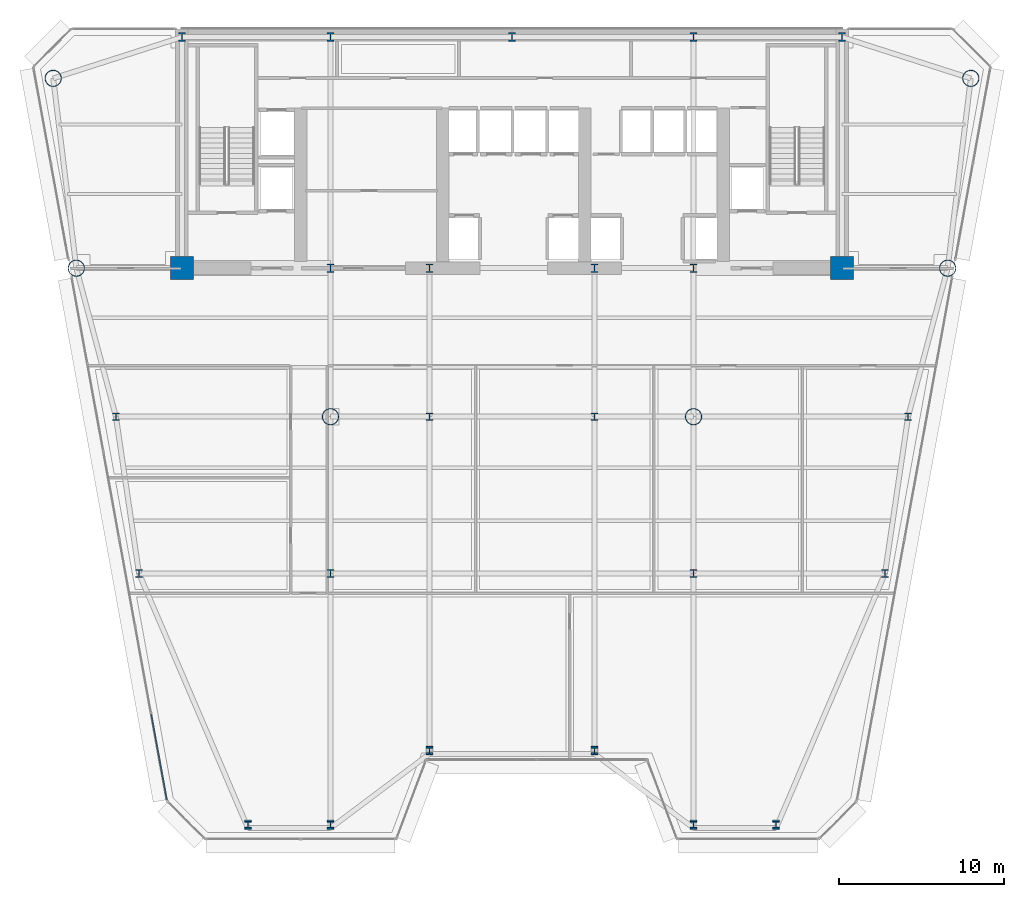
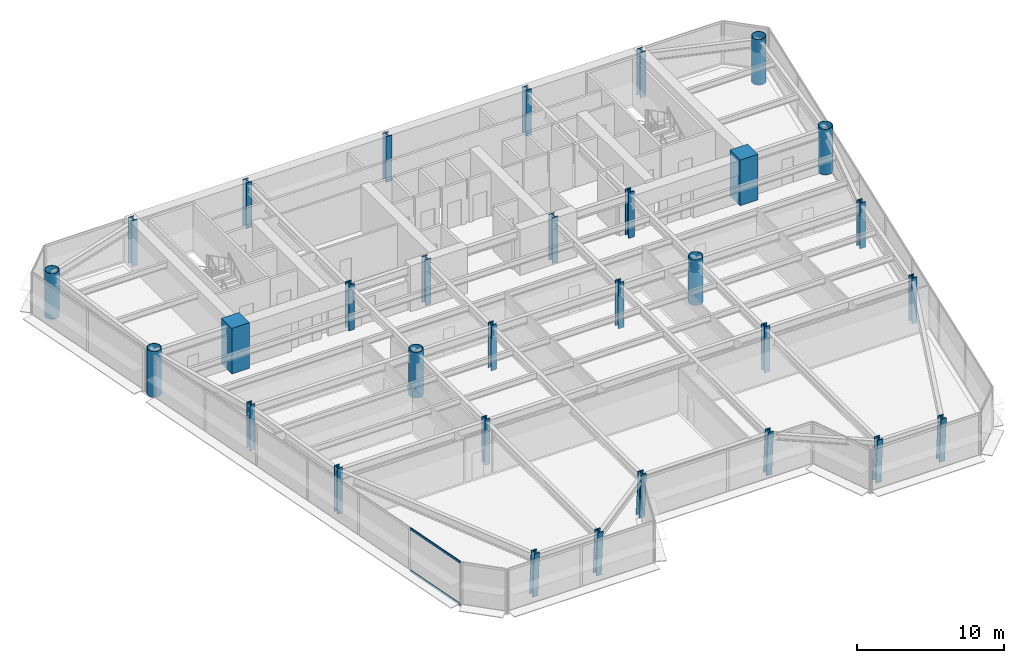
# One storey, part 1 of 14: 31 columns, 2 members, 1 element without a shape of its own.
"""IFC4 building model written with IfcOpenShell, lengths in metres."""

from ifc_helpers import new_model, si_unit, direction, frame, origin, origin_2d, place, context, subcontext, project, spatial, rectangle, hollow_circle, i_section, extrude, source, transform, mapped, material, layer, layer_set, material_profile, profile_set, type_object, element, aggregate, save


model = new_model("IFC4")

# Units and contexts
model_context = context("Model", 3, precision=1e-05, world=origin(), true_north=direction((0.0, 1.0)))
body_context = subcontext(model_context, "Body", "Model", "MODEL_VIEW")
ifc_project = project(units=[si_unit("LENGTHUNIT", "METRE"), si_unit("AREAUNIT", "SQUARE_METRE"), si_unit("VOLUMEUNIT", "CUBIC_METRE"), si_unit("PLANEANGLEUNIT", "RADIAN"), si_unit("MASSUNIT", "GRAM", prefix="KILO")], contexts=[model_context])

# Site, building, storey
site_placement = place(None, origin())
site = spatial("IfcSite", under=ifc_project, at=site_placement, CompositionType="ELEMENT")
building_placement = place(site_placement, origin())
building = spatial("IfcBuilding", under=site, at=building_placement, Name="Vaeldorn Concourse Tower", CompositionType="ELEMENT")
storey_placement = place(building_placement, frame((0.0, 0.0, 114.800048828125)))
storey = spatial("IfcBuildingStorey", under=building, at=storey_placement, Name="L29", CompositionType="ELEMENT", Elevation=114.800048828125)

# Columns
ifc_material_1 = material(Name="Concrete C60/75", Category="concrete")
ifc_material_profile_1 = material_profile(ifc_material_1, rectangle(XDim=1.39990234375, YDim=1.39990234375, at=origin_2d()), Name="RC 1400x1400")
ifc_profile_set_1 = profile_set([ifc_material_profile_1], Name="Concrete C60/75")
column_type_1 = type_object("IfcColumnType", Name="COL-RC1400", PredefinedType="COLUMN", material=ifc_profile_set_1)
shared_shape_1 = source(origin(), body_context, "Body", "SweptSolid", [
    extrude(rectangle(XDim=1.39990234375, YDim=1.39990234375, at=origin_2d()), origin(), (0.0, 0.0, 1.0), 3.800048828125),
])
for number, where, z_axis, x_axis, name in (
    (1, (14.0, 36.5, 0.0), (0.0, 0.0, 1.0), (1.0, 0.0, 0.0), "Column C-FC1 L29"),
    (2, (54.0, 36.5, 0.0), (0.0, 0.0, 1.0), (1.0, 0.0, 0.0), "Column C-FC6 L29"),
):
    element("IfcColumn", number, at=place(storey_placement, frame(where, z_axis=z_axis, x_axis=x_axis)), inside=storey, type_object=column_type_1, Name=name, PredefinedType="COLUMN", context=body_context, shape_type="MappedRepresentation", body=[
        mapped(shared_shape_1, transform((0.0, 0.0, 0.0), scale=1.0)),
    ])
ifc_material_2 = material(Name="Steel S460", Category="steel")
ifc_material_profile_2 = material_profile(ifc_material_2, i_section(OverallWidth=0.44189453125, OverallDepth=0.531005859375, WebThickness=0.06494140625, FlangeThickness=0.075927734375, FilletRadius=0.014892578125, at=origin_2d()), Name="HD 400x900")
ifc_profile_set_2 = profile_set([ifc_material_profile_2], Name="Steel S460")
column_type_2 = type_object("IfcColumnType", Name="COL-HD900", PredefinedType="COLUMN", material=ifc_profile_set_2)
shared_shape_2 = source(origin(), body_context, "Body", "SweptSolid", [
    extrude(i_section(OverallWidth=0.44189453125, OverallDepth=0.531005859375, WebThickness=0.06494140625, FlangeThickness=0.075927734375, FilletRadius=0.014892578125, at=origin_2d()), origin(), (0.0, 0.0, 1.0), 3.800048828125),
])
for number, where, z_axis, x_axis, name in (
    (3, (23.0, 36.5, 0.0), (0.0, 0.0, 1.0), (1.0, 0.0, 0.0), "Column C-FC2 L29"),
    (4, (29.0, 36.5, 0.0), (0.0, 0.0, 1.0), (1.0, 0.0, 0.0), "Column C-FC3 L29"),
    (5, (39.0, 36.5, 0.0), (0.0, 0.0, 1.0), (1.0, 0.0, 0.0), "Column C-FC4 L29"),
    (6, (45.0, 36.5, 0.0), (0.0, 0.0, 1.0), (1.0, 0.0, 0.0), "Column C-FC5 L29"),
    (7, (14.0, 50.5, 0.0), (0.0, 0.0, 1.0), (1.0, 0.0, 0.0), "Column C-HC1 L29"),
    (8, (23.0, 50.5, 0.0), (0.0, 0.0, 1.0), (1.0, 0.0, 0.0), "Column C-HC2 L29"),
    (9, (34.0, 50.5, 0.0), (0.0, 0.0, 1.0), (1.0, 0.0, 0.0), "Column C-HC3 L29"),
    (10, (45.0, 50.5, 0.0), (0.0, 0.0, 1.0), (1.0, 0.0, 0.0), "Column C-HC4 L29"),
    (11, (54.0, 50.5, 0.0), (0.0, 0.0, 1.0), (1.0, 0.0, 0.0), "Column C-HC5 L29"),
):
    element("IfcColumn", number, at=place(storey_placement, frame(where, z_axis=z_axis, x_axis=x_axis)), inside=storey, type_object=column_type_2, Name=name, PredefinedType="COLUMN", context=body_context, shape_type="MappedRepresentation", body=[
        mapped(shared_shape_2, transform((0.0, 0.0, 0.0), scale=1.0)),
    ])
ifc_material_profile_3 = material_profile(ifc_material_2, hollow_circle(Radius=0.508056640625, WallThickness=0.044921875, at=origin_2d()), Name="CHS 1016x45")
ifc_profile_set_3 = profile_set([ifc_material_profile_3], Name="Steel S460")
column_type_3 = type_object("IfcColumnType", Name="COL-CHS1016", PredefinedType="COLUMN", material=ifc_profile_set_3)
shared_shape_3 = source(origin(), body_context, "Body", "SweptSolid", [
    extrude(hollow_circle(Radius=0.508056640625, WallThickness=0.044921875, at=origin_2d()), origin(), (0.0, 0.0, 1.0), 3.800048828125),
])
for number, where, z_axis, x_axis, name in (
    (12, (6.199951171875, 48.0, 0.0), (0.0, 0.0, 1.0), (1.0, 0.0, 0.0), "Column C-NW1 L29"),
    (13, (7.60009765625, 36.5, 0.0), (0.0, 0.0, 1.0), (1.0, 0.0, 0.0), "Column C-NW2 L29"),
    (14, (61.800048828125, 48.0, 0.0), (0.0, 0.0, 1.0), (1.0, 0.0, 0.0), "Column C-NE1 L29"),
    (15, (60.39990234375, 36.5, 0.0), (0.0, 0.0, 1.0), (1.0, 0.0, 0.0), "Column C-NE2 L29"),
    (16, (23.0, 27.5, 0.0), (0.0, 0.0, 1.0), (1.0, 0.0, 0.0), "Column C-TW1 L29"),
    (17, (45.0, 27.5, 0.0), (0.0, 0.0, 1.0), (1.0, 0.0, 0.0), "Column C-TW4 L29"),
):
    element("IfcColumn", number, at=place(storey_placement, frame(where, z_axis=z_axis, x_axis=x_axis)), inside=storey, type_object=column_type_3, Name=name, PredefinedType="COLUMN", context=body_context, shape_type="MappedRepresentation", body=[
        mapped(shared_shape_3, transform((0.0, 0.0, 0.0), scale=1.0)),
    ])
ifc_material_profile_4 = material_profile(ifc_material_2, i_section(OverallWidth=0.424072265625, OverallDepth=0.47412109375, WebThickness=0.047119140625, FlangeThickness=0.06494140625, FilletRadius=0.014892578125, at=origin_2d()), Name="HD 400x634")
ifc_profile_set_4 = profile_set([ifc_material_profile_4], Name="Steel S460")
column_type_4 = type_object("IfcColumnType", Name="COL-HD634F", PredefinedType="COLUMN", material=ifc_profile_set_4)
shared_shape_4 = source(origin(), body_context, "Body", "SweptSolid", [
    extrude(i_section(OverallWidth=0.424072265625, OverallDepth=0.47412109375, WebThickness=0.047119140625, FlangeThickness=0.06494140625, FilletRadius=0.014892578125, at=origin_2d()), origin(), (0.0, 0.0, 1.0), 3.800048828125),
])
for number, where, z_axis, x_axis, name in (
    (18, (10.0, 27.5, 0.0), (0.0, 0.0, 1.0), (1.0, 0.0, 0.0), "Column C-FLW1 L29"),
    (19, (11.39990234375, 18.0, 0.0), (0.0, 0.0, 1.0), (1.0, 0.0, 0.0), "Column C-FLW2 L29"),
    (20, (58.0, 27.5, 0.0), (0.0, 0.0, 1.0), (1.0, 0.0, 0.0), "Column C-FLE1 L29"),
    (21, (56.60009765625, 18.0, 0.0), (0.0, 0.0, 1.0), (1.0, 0.0, 0.0), "Column C-FLE2 L29"),
):
    element("IfcColumn", number, at=place(storey_placement, frame(where, z_axis=z_axis, x_axis=x_axis)), inside=storey, type_object=column_type_4, Name=name, PredefinedType="COLUMN", context=body_context, shape_type="MappedRepresentation", body=[
        mapped(shared_shape_4, transform((0.0, 0.0, 0.0), scale=1.0)),
    ])
ifc_material_profile_5 = material_profile(ifc_material_2, i_section(OverallWidth=0.424072265625, OverallDepth=0.47412109375, WebThickness=0.047119140625, FlangeThickness=0.06494140625, FilletRadius=0.014892578125, at=origin_2d()), Name="HD 400x634")
ifc_profile_set_5 = profile_set([ifc_material_profile_5], Name="Steel S460")
column_type_5 = type_object("IfcColumnType", Name="COL-HD634T", PredefinedType="COLUMN", material=ifc_profile_set_5)
shared_shape_5 = source(origin(), body_context, "Body", "SweptSolid", [
    extrude(i_section(OverallWidth=0.424072265625, OverallDepth=0.47412109375, WebThickness=0.047119140625, FlangeThickness=0.06494140625, FilletRadius=0.014892578125, at=origin_2d()), origin(), (0.0, 0.0, 1.0), 3.800048828125),
])
for number, where, z_axis, x_axis, name in (
    (22, (29.0, 27.5, 0.0), (0.0, 0.0, 1.0), (1.0, 0.0, 0.0), "Column C-TW2 L29"),
    (23, (39.0, 27.5, 0.0), (0.0, 0.0, 1.0), (1.0, 0.0, 0.0), "Column C-TW3 L29"),
    (24, (23.0, 18.0, 0.0), (0.0, 0.0, 1.0), (1.0, 0.0, 0.0), "Column C-TW5 L29"),
    (25, (45.0, 18.0, 0.0), (0.0, 0.0, 1.0), (1.0, 0.0, 0.0), "Column C-TW6 L29"),
):
    element("IfcColumn", number, at=place(storey_placement, frame(where, z_axis=z_axis, x_axis=x_axis)), inside=storey, type_object=column_type_5, Name=name, PredefinedType="COLUMN", context=body_context, shape_type="MappedRepresentation", body=[
        mapped(shared_shape_5, transform((0.0, 0.0, 0.0), scale=1.0)),
    ])
shared_shape_6 = source(origin(), body_context, "Body", "SweptSolid", [
    extrude(i_section(OverallWidth=0.424072265625, OverallDepth=0.47412109375, WebThickness=0.047119140625, FlangeThickness=0.06494140625, FilletRadius=0.014892578125, at=origin_2d()), origin(), (0.0, 0.0, 1.0), 3.74365234375),
])
for number, where, z_axis, x_axis, name in (
    (26, (18.0, 2.8125, 0.031982421875), (0.0, -0.063843869911, 0.997959899132), (1.0, 0.0, 0.0), "Column C-SF1 L29"),
    (27, (23.0, 2.8125, 0.031982421875), (0.0, -0.063843869911, 0.997959899132), (1.0, 0.0, 0.0), "Column C-SF2 L29"),
    (28, (29.0, 7.3125, 0.031982421875), (0.0, -0.063843869911, 0.997959899132), (1.0, 0.0, 0.0), "Column C-SF3 L29"),
    (29, (39.0, 7.3125, 0.031982421875), (0.0, -0.063843869911, 0.997959899132), (1.0, 0.0, 0.0), "Column C-SF4 L29"),
    (30, (45.0, 2.8125, 0.031982421875), (0.0, -0.063843869911, 0.997959899132), (1.0, 0.0, 0.0), "Column C-SF5 L29"),
    (31, (50.0, 2.8125, 0.031982421875), (0.0, -0.063843869911, 0.997959899132), (1.0, 0.0, 0.0), "Column C-SF6 L29"),
):
    element("IfcColumn", number, at=place(storey_placement, frame(where, z_axis=z_axis, x_axis=x_axis)), inside=storey, type_object=column_type_5, Name=name, PredefinedType="COLUMN", context=body_context, shape_type="MappedRepresentation", body=[
        mapped(shared_shape_6, transform((0.0, 0.0, 0.0), scale=1.0)),
    ])

# Curtain wall, members
ifc_material_3 = material(Name="Anodised Bronze Aluminium", Category="aluminium")
ifc_layer = layer(ifc_material_3, 0.199951171875)
ifc_layer_set = layer_set([ifc_layer], Name="Anodised Bronze Aluminium")
curtain_wall_type = type_object("IfcCurtainWallType", Name="CW-SYS-02", PredefinedType="NOTDEFINED", material=ifc_layer_set)
curtain_wall_placement = place(storey_placement, origin())
curtain_wall = element("IfcCurtainWall", 32, at=curtain_wall_placement, inside=storey, type_object=curtain_wall_type, Name="Unitised Curtain Wall CW-L29-E11-2", PredefinedType="NOTDEFINED")
ifc_material_profile_6 = material_profile(ifc_material_3, rectangle(XDim=0.074951171875, YDim=0.179931640625, at=origin_2d()), Name="CWT 75x180")
ifc_profile_set_6 = profile_set([ifc_material_profile_6], Name="Anodised Bronze Aluminium")
member_type = type_object("IfcMemberType", Name="CWT-BRONZE-180", PredefinedType="USERDEFINED", material=ifc_profile_set_6)
shared_shape_7 = source(origin(), body_context, "Body", "SweptSolid", [
    extrude(rectangle(XDim=0.074951171875, YDim=0.179931640625, at=origin_2d()), origin(), (0.0, 0.0, 1.0), 5.26953125),
])
member_1_placement = place(storey_placement, frame((12.14208984375, 9.470703125, 0.037353515625), z_axis=(0.179113750135, -0.983828371472, 0.0), x_axis=(0.983828371472, 0.179113750135, 0.0)))
member_1 = element("IfcMember", 33, at=member_1_placement, type_object=member_type, Name="CW-02 transom 6.1", ObjectType="TRANSOM", PredefinedType="USERDEFINED", context=body_context, shape_type="MappedRepresentation", body=[
    mapped(shared_shape_7, transform((0.0, 0.0, 0.0), scale=1.0)),
])
member_2_placement = place(storey_placement, frame((12.14208984375, 9.470703125, 3.54248046875), z_axis=(0.179113750135, -0.983828371472, 0.0), x_axis=(0.983828371472, 0.179113750135, 0.0)))
member_2 = element("IfcMember", 34, at=member_2_placement, type_object=member_type, Name="CW-02 transom 6.2", ObjectType="TRANSOM", PredefinedType="USERDEFINED", context=body_context, shape_type="MappedRepresentation", body=[
    mapped(shared_shape_7, transform((0.0, 0.0, 0.0), scale=1.0)),
])
aggregate(curtain_wall, [member_1, member_2])

save(model, "model.ifc")
